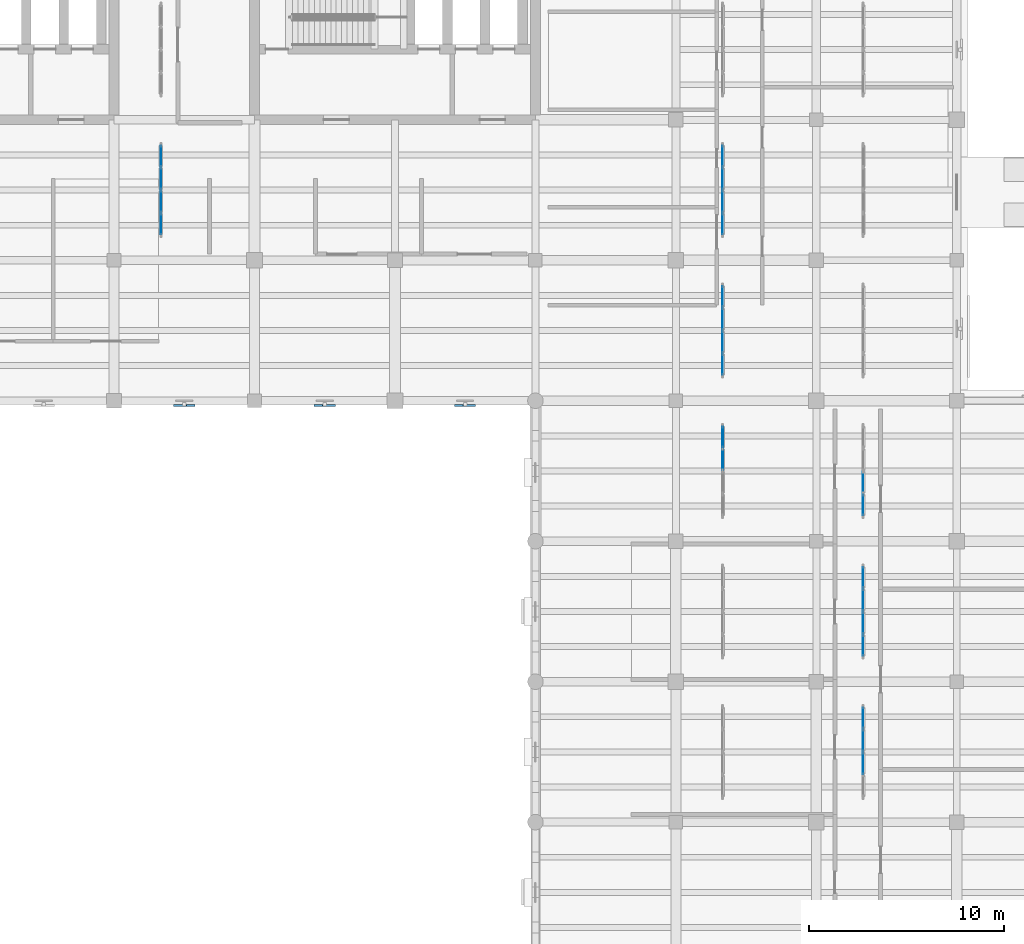
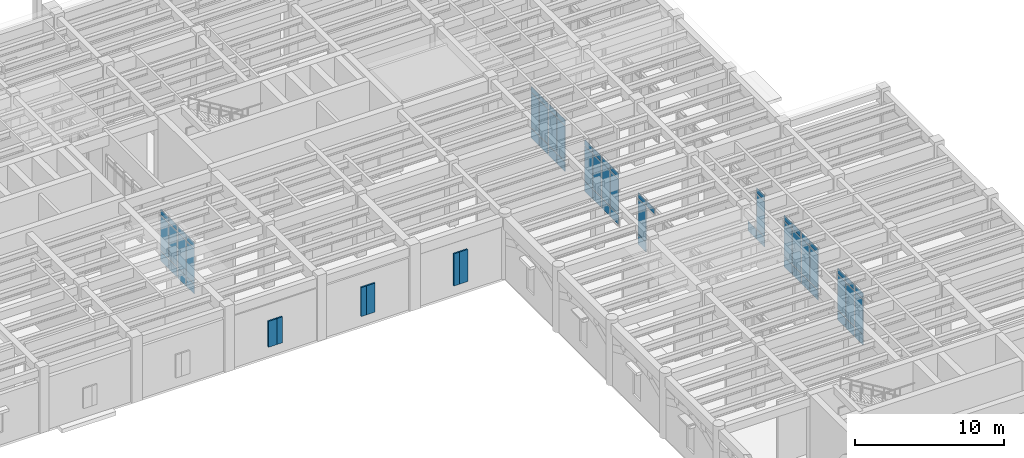
# One storey, part 64 of 100: 71 plates, 7 elements without a shape of their own.
"""IFC4 building model written with IfcOpenShell, lengths in metres."""

from ifc_helpers import new_model, si_unit, direction, frame, origin, origin_2d, place, context, subcontext, project, spatial, rectangle, extrude, material, layer, layer_set, type_object, element, aggregate, save


model = new_model("IFC4")

# Units and contexts
model_context = context("Model", 3, precision=1e-05, world=origin(), true_north=direction((0.0, 1.0)))
body_context = subcontext(model_context, "Body", "Model", "MODEL_VIEW")
ifc_project = project(units=[si_unit("LENGTHUNIT", "METRE"), si_unit("AREAUNIT", "SQUARE_METRE"), si_unit("VOLUMEUNIT", "CUBIC_METRE"), si_unit("PLANEANGLEUNIT", "RADIAN"), si_unit("MASSUNIT", "GRAM", prefix="KILO")], contexts=[model_context])

# Site, building, storey
site_placement = place(None, origin())
site = spatial("IfcSite", under=ifc_project, at=site_placement, CompositionType="ELEMENT")
building_placement = place(site_placement, origin())
building = spatial("IfcBuilding", under=site, at=building_placement, Name="Mithqara Police Headquarters", CompositionType="ELEMENT")
storey_placement = place(building_placement, origin())
storey = spatial("IfcBuildingStorey", under=building, at=storey_placement, Name="L00", CompositionType="ELEMENT", Elevation=0.0)

# Curtain wall, plates
ifc_material_1 = material(Name="Bronze anodised aluminium 6063-T6", Category="aluminium")
curtain_wall_type = type_object("IfcCurtainWallType", Name="CURTAIN WALL 4700X4400", PredefinedType="USERDEFINED", material=ifc_material_1)
curtain_wall_1_placement = place(storey_placement, origin())
curtain_wall_1 = element("IfcCurtainWall", 1, at=curtain_wall_1_placement, inside=storey, type_object=curtain_wall_type, Name="L00 Unitised Glazing CW-14 (CW-INT-L00-X17-Y12-0)", ObjectType="UNITISED GLAZING", PredefinedType="USERDEFINED")
ifc_material_2 = material(Name="Spectrally selective double low-e glass", Category="glass")
ifc_layer_1 = layer(ifc_material_2, 0.028076171875, Name="Spectrally selective double low-e glass")
ifc_layer_set_1 = layer_set([ifc_layer_1], Name="Spectrally selective double low-e glass")
plate_type_1 = type_object("IfcPlateType", Name="CWPANEL GLASS28", PredefinedType="CURTAIN_PANEL", material=ifc_layer_set_1)
plate_1_placement = place(storey_placement, frame((125.39990234375, 87.65625, 0.074951171875), z_axis=(0.0, 0.0, 1.0), x_axis=(0.0, 1.0, 0.0)))
plate_1 = element("IfcPlate", 2, at=plate_1_placement, type_object=plate_type_1, Name="CW-14 panel 1.1", PredefinedType="CURTAIN_PANEL", context=body_context, shape_type="SweptSolid", body=[
    extrude(rectangle(XDim=1.0625, YDim=0.028076171875, at=origin_2d()), origin(), (0.0, 0.0, 1.0), 0.78759765625),
])
plate_2_placement = place(storey_placement, frame((125.39990234375, 87.65625, 0.9375), z_axis=(0.0, 0.0, 1.0), x_axis=(0.0, 1.0, 0.0)))
plate_2 = element("IfcPlate", 3, at=plate_2_placement, type_object=plate_type_1, Name="CW-14 panel 1.2", PredefinedType="CURTAIN_PANEL", context=body_context, shape_type="SweptSolid", body=[
    extrude(rectangle(XDim=1.0625, YDim=0.028076171875, at=origin_2d()), origin(), (0.0, 0.0, 1.0), 2.875),
])
plate_3_placement = place(storey_placement, frame((125.39990234375, 87.65625, 3.887451171875), z_axis=(0.0, 0.0, 1.0), x_axis=(0.0, 1.0, 0.0)))
plate_3 = element("IfcPlate", 4, at=plate_3_placement, type_object=plate_type_1, Name="CW-14 panel 1.3", PredefinedType="CURTAIN_PANEL", context=body_context, shape_type="SweptSolid", body=[
    extrude(rectangle(XDim=1.0625, YDim=0.028076171875, at=origin_2d()), origin(), (0.0, 0.0, 1.0), 0.4375),
])
plate_4_placement = place(storey_placement, frame((125.39990234375, 88.8125, 0.074951171875), z_axis=(0.0, 0.0, 1.0), x_axis=(0.0, 1.0, 0.0)))
plate_4 = element("IfcPlate", 5, at=plate_4_placement, type_object=plate_type_1, Name="CW-14 panel 2.1", PredefinedType="CURTAIN_PANEL", context=body_context, shape_type="SweptSolid", body=[
    extrude(rectangle(XDim=1.10009765625, YDim=0.028076171875, at=origin_2d()), origin(), (0.0, 0.0, 1.0), 0.78759765625),
])
plate_5_placement = place(storey_placement, frame((125.39990234375, 88.8125, 0.9375), z_axis=(0.0, 0.0, 1.0), x_axis=(0.0, 1.0, 0.0)))
plate_5 = element("IfcPlate", 6, at=plate_5_placement, type_object=plate_type_1, Name="CW-14 panel 2.2", PredefinedType="CURTAIN_PANEL", context=body_context, shape_type="SweptSolid", body=[
    extrude(rectangle(XDim=1.10009765625, YDim=0.028076171875, at=origin_2d()), origin(), (0.0, 0.0, 1.0), 2.875),
])
plate_6_placement = place(storey_placement, frame((125.39990234375, 88.8125, 3.887451171875), z_axis=(0.0, 0.0, 1.0), x_axis=(0.0, 1.0, 0.0)))
plate_6 = element("IfcPlate", 7, at=plate_6_placement, type_object=plate_type_1, Name="CW-14 panel 2.3", PredefinedType="CURTAIN_PANEL", context=body_context, shape_type="SweptSolid", body=[
    extrude(rectangle(XDim=1.10009765625, YDim=0.028076171875, at=origin_2d()), origin(), (0.0, 0.0, 1.0), 0.4375),
])
plate_7_placement = place(storey_placement, frame((125.39990234375, 89.987548828125, 0.074951171875), z_axis=(0.0, 0.0, 1.0), x_axis=(0.0, 1.0, 0.0)))
plate_7 = element("IfcPlate", 8, at=plate_7_placement, type_object=plate_type_1, Name="CW-14 panel 3.1", PredefinedType="CURTAIN_PANEL", context=body_context, shape_type="SweptSolid", body=[
    extrude(rectangle(XDim=1.10009765625, YDim=0.028076171875, at=origin_2d()), origin(), (0.0, 0.0, 1.0), 0.78759765625),
])
plate_8_placement = place(storey_placement, frame((125.39990234375, 89.987548828125, 0.9375), z_axis=(0.0, 0.0, 1.0), x_axis=(0.0, 1.0, 0.0)))
plate_8 = element("IfcPlate", 9, at=plate_8_placement, type_object=plate_type_1, Name="CW-14 panel 3.2", PredefinedType="CURTAIN_PANEL", context=body_context, shape_type="SweptSolid", body=[
    extrude(rectangle(XDim=1.10009765625, YDim=0.028076171875, at=origin_2d()), origin(), (0.0, 0.0, 1.0), 2.875),
])
plate_9_placement = place(storey_placement, frame((125.39990234375, 89.987548828125, 3.887451171875), z_axis=(0.0, 0.0, 1.0), x_axis=(0.0, 1.0, 0.0)))
plate_9 = element("IfcPlate", 10, at=plate_9_placement, type_object=plate_type_1, Name="CW-14 panel 3.3", PredefinedType="CURTAIN_PANEL", context=body_context, shape_type="SweptSolid", body=[
    extrude(rectangle(XDim=1.10009765625, YDim=0.028076171875, at=origin_2d()), origin(), (0.0, 0.0, 1.0), 0.4375),
])
plate_10_placement = place(storey_placement, frame((125.39990234375, 91.143798828125, 0.074951171875), z_axis=(0.0, 0.0, 1.0), x_axis=(0.0, 1.0, 0.0)))
plate_10 = element("IfcPlate", 11, at=plate_10_placement, type_object=plate_type_1, Name="CW-14 panel 4.1", PredefinedType="CURTAIN_PANEL", context=body_context, shape_type="SweptSolid", body=[
    extrude(rectangle(XDim=1.0625, YDim=0.028076171875, at=origin_2d()), origin(), (0.0, 0.0, 1.0), 0.78759765625),
])
plate_11_placement = place(storey_placement, frame((125.39990234375, 91.143798828125, 0.9375), z_axis=(0.0, 0.0, 1.0), x_axis=(0.0, 1.0, 0.0)))
plate_11 = element("IfcPlate", 12, at=plate_11_placement, type_object=plate_type_1, Name="CW-14 panel 4.2", PredefinedType="CURTAIN_PANEL", context=body_context, shape_type="SweptSolid", body=[
    extrude(rectangle(XDim=1.0625, YDim=0.028076171875, at=origin_2d()), origin(), (0.0, 0.0, 1.0), 2.875),
])
plate_12_placement = place(storey_placement, frame((125.39990234375, 91.143798828125, 3.887451171875), z_axis=(0.0, 0.0, 1.0), x_axis=(0.0, 1.0, 0.0)))
plate_12 = element("IfcPlate", 13, at=plate_12_placement, type_object=plate_type_1, Name="CW-14 panel 4.3", PredefinedType="CURTAIN_PANEL", context=body_context, shape_type="SweptSolid", body=[
    extrude(rectangle(XDim=1.0625, YDim=0.028076171875, at=origin_2d()), origin(), (0.0, 0.0, 1.0), 0.4375),
])
aggregate(curtain_wall_1, [plate_1, plate_2, plate_3, plate_4, plate_5, plate_6, plate_7, plate_8, plate_9, plate_10, plate_11, plate_12])

curtain_wall_2_placement = place(storey_placement, origin())
curtain_wall_2 = element("IfcCurtainWall", 14, at=curtain_wall_2_placement, inside=storey, type_object=curtain_wall_type, Name="L00 Unitised Glazing CW-14 (CW-INT-L00-X21-Y11-0)", ObjectType="UNITISED GLAZING", PredefinedType="USERDEFINED")
plate_13_placement = place(storey_placement, frame((154.199951171875, 80.456298828125, 0.074951171875), z_axis=(0.0, 0.0, 1.0), x_axis=(0.0, 1.0, 0.0)))
plate_13 = element("IfcPlate", 15, at=plate_13_placement, type_object=plate_type_1, Name="CW-14 panel 1.1", PredefinedType="CURTAIN_PANEL", context=body_context, shape_type="SweptSolid", body=[
    extrude(rectangle(XDim=1.0625, YDim=0.028076171875, at=origin_2d()), origin(), (0.0, 0.0, 1.0), 0.78759765625),
])
plate_14_placement = place(storey_placement, frame((154.199951171875, 80.456298828125, 0.9375), z_axis=(0.0, 0.0, 1.0), x_axis=(0.0, 1.0, 0.0)))
plate_14 = element("IfcPlate", 16, at=plate_14_placement, type_object=plate_type_1, Name="CW-14 panel 1.2", PredefinedType="CURTAIN_PANEL", context=body_context, shape_type="SweptSolid", body=[
    extrude(rectangle(XDim=1.0625, YDim=0.028076171875, at=origin_2d()), origin(), (0.0, 0.0, 1.0), 2.875),
])
plate_15_placement = place(storey_placement, frame((154.199951171875, 80.456298828125, 3.887451171875), z_axis=(0.0, 0.0, 1.0), x_axis=(0.0, 1.0, 0.0)))
plate_15 = element("IfcPlate", 17, at=plate_15_placement, type_object=plate_type_1, Name="CW-14 panel 1.3", PredefinedType="CURTAIN_PANEL", context=body_context, shape_type="SweptSolid", body=[
    extrude(rectangle(XDim=1.0625, YDim=0.028076171875, at=origin_2d()), origin(), (0.0, 0.0, 1.0), 0.4375),
])
plate_16_placement = place(storey_placement, frame((154.199951171875, 81.612548828125, 0.074951171875), z_axis=(0.0, 0.0, 1.0), x_axis=(0.0, 1.0, 0.0)))
plate_16 = element("IfcPlate", 18, at=plate_16_placement, type_object=plate_type_1, Name="CW-14 panel 2.1", PredefinedType="CURTAIN_PANEL", context=body_context, shape_type="SweptSolid", body=[
    extrude(rectangle(XDim=1.10009765625, YDim=0.028076171875, at=origin_2d()), origin(), (0.0, 0.0, 1.0), 0.78759765625),
])
plate_17_placement = place(storey_placement, frame((154.199951171875, 81.612548828125, 0.9375), z_axis=(0.0, 0.0, 1.0), x_axis=(0.0, 1.0, 0.0)))
plate_17 = element("IfcPlate", 19, at=plate_17_placement, type_object=plate_type_1, Name="CW-14 panel 2.2", PredefinedType="CURTAIN_PANEL", context=body_context, shape_type="SweptSolid", body=[
    extrude(rectangle(XDim=1.10009765625, YDim=0.028076171875, at=origin_2d()), origin(), (0.0, 0.0, 1.0), 2.875),
])
plate_18_placement = place(storey_placement, frame((154.199951171875, 81.612548828125, 3.887451171875), z_axis=(0.0, 0.0, 1.0), x_axis=(0.0, 1.0, 0.0)))
plate_18 = element("IfcPlate", 20, at=plate_18_placement, type_object=plate_type_1, Name="CW-14 panel 2.3", PredefinedType="CURTAIN_PANEL", context=body_context, shape_type="SweptSolid", body=[
    extrude(rectangle(XDim=1.10009765625, YDim=0.028076171875, at=origin_2d()), origin(), (0.0, 0.0, 1.0), 0.4375),
])
plate_19_placement = place(storey_placement, frame((154.199951171875, 82.78759765625, 0.074951171875), z_axis=(0.0, 0.0, 1.0), x_axis=(0.0, 1.0, 0.0)))
plate_19 = element("IfcPlate", 21, at=plate_19_placement, type_object=plate_type_1, Name="CW-14 panel 3.1", PredefinedType="CURTAIN_PANEL", context=body_context, shape_type="SweptSolid", body=[
    extrude(rectangle(XDim=1.10009765625, YDim=0.028076171875, at=origin_2d()), origin(), (0.0, 0.0, 1.0), 0.78759765625),
])
plate_20_placement = place(storey_placement, frame((154.199951171875, 82.78759765625, 0.9375), z_axis=(0.0, 0.0, 1.0), x_axis=(0.0, 1.0, 0.0)))
plate_20 = element("IfcPlate", 22, at=plate_20_placement, type_object=plate_type_1, Name="CW-14 panel 3.2", PredefinedType="CURTAIN_PANEL", context=body_context, shape_type="SweptSolid", body=[
    extrude(rectangle(XDim=1.10009765625, YDim=0.028076171875, at=origin_2d()), origin(), (0.0, 0.0, 1.0), 2.875),
])
plate_21_placement = place(storey_placement, frame((154.199951171875, 82.78759765625, 3.887451171875), z_axis=(0.0, 0.0, 1.0), x_axis=(0.0, 1.0, 0.0)))
plate_21 = element("IfcPlate", 23, at=plate_21_placement, type_object=plate_type_1, Name="CW-14 panel 3.3", PredefinedType="CURTAIN_PANEL", context=body_context, shape_type="SweptSolid", body=[
    extrude(rectangle(XDim=1.10009765625, YDim=0.028076171875, at=origin_2d()), origin(), (0.0, 0.0, 1.0), 0.4375),
])
plate_22_placement = place(storey_placement, frame((154.199951171875, 83.94384765625, 0.074951171875), z_axis=(0.0, 0.0, 1.0), x_axis=(0.0, 1.0, 0.0)))
plate_22 = element("IfcPlate", 24, at=plate_22_placement, type_object=plate_type_1, Name="CW-14 panel 4.1", PredefinedType="CURTAIN_PANEL", context=body_context, shape_type="SweptSolid", body=[
    extrude(rectangle(XDim=1.0625, YDim=0.028076171875, at=origin_2d()), origin(), (0.0, 0.0, 1.0), 0.78759765625),
])
plate_23_placement = place(storey_placement, frame((154.199951171875, 83.94384765625, 0.9375), z_axis=(0.0, 0.0, 1.0), x_axis=(0.0, 1.0, 0.0)))
plate_23 = element("IfcPlate", 25, at=plate_23_placement, type_object=plate_type_1, Name="CW-14 panel 4.2", PredefinedType="CURTAIN_PANEL", context=body_context, shape_type="SweptSolid", body=[
    extrude(rectangle(XDim=1.0625, YDim=0.028076171875, at=origin_2d()), origin(), (0.0, 0.0, 1.0), 2.875),
])
plate_24_placement = place(storey_placement, frame((154.199951171875, 83.94384765625, 3.887451171875), z_axis=(0.0, 0.0, 1.0), x_axis=(0.0, 1.0, 0.0)))
plate_24 = element("IfcPlate", 26, at=plate_24_placement, type_object=plate_type_1, Name="CW-14 panel 4.3", PredefinedType="CURTAIN_PANEL", context=body_context, shape_type="SweptSolid", body=[
    extrude(rectangle(XDim=1.0625, YDim=0.028076171875, at=origin_2d()), origin(), (0.0, 0.0, 1.0), 0.4375),
])
aggregate(curtain_wall_2, [plate_13, plate_14, plate_15, plate_16, plate_17, plate_18, plate_19, plate_20, plate_21, plate_22, plate_23, plate_24])

curtain_wall_3_placement = place(storey_placement, origin())
curtain_wall_3 = element("IfcCurtainWall", 27, at=curtain_wall_3_placement, inside=storey, type_object=curtain_wall_type, Name="L00 Unitised Glazing CW-14 (CW-INT-L00-X21-Y12-0)", ObjectType="UNITISED GLAZING", PredefinedType="USERDEFINED")
plate_25_placement = place(storey_placement, frame((154.199951171875, 87.65625, 0.074951171875), z_axis=(0.0, 0.0, 1.0), x_axis=(0.0, 1.0, 0.0)))
plate_25 = element("IfcPlate", 28, at=plate_25_placement, type_object=plate_type_1, Name="CW-14 panel 1.1", PredefinedType="CURTAIN_PANEL", context=body_context, shape_type="SweptSolid", body=[
    extrude(rectangle(XDim=1.0625, YDim=0.028076171875, at=origin_2d()), origin(), (0.0, 0.0, 1.0), 0.78759765625),
])
plate_26_placement = place(storey_placement, frame((154.199951171875, 87.65625, 0.9375), z_axis=(0.0, 0.0, 1.0), x_axis=(0.0, 1.0, 0.0)))
plate_26 = element("IfcPlate", 29, at=plate_26_placement, type_object=plate_type_1, Name="CW-14 panel 1.2", PredefinedType="CURTAIN_PANEL", context=body_context, shape_type="SweptSolid", body=[
    extrude(rectangle(XDim=1.0625, YDim=0.028076171875, at=origin_2d()), origin(), (0.0, 0.0, 1.0), 2.875),
])
plate_27_placement = place(storey_placement, frame((154.199951171875, 87.65625, 3.887451171875), z_axis=(0.0, 0.0, 1.0), x_axis=(0.0, 1.0, 0.0)))
plate_27 = element("IfcPlate", 30, at=plate_27_placement, type_object=plate_type_1, Name="CW-14 panel 1.3", PredefinedType="CURTAIN_PANEL", context=body_context, shape_type="SweptSolid", body=[
    extrude(rectangle(XDim=1.0625, YDim=0.028076171875, at=origin_2d()), origin(), (0.0, 0.0, 1.0), 0.4375),
])
plate_28_placement = place(storey_placement, frame((154.199951171875, 88.8125, 0.074951171875), z_axis=(0.0, 0.0, 1.0), x_axis=(0.0, 1.0, 0.0)))
plate_28 = element("IfcPlate", 31, at=plate_28_placement, type_object=plate_type_1, Name="CW-14 panel 2.1", PredefinedType="CURTAIN_PANEL", context=body_context, shape_type="SweptSolid", body=[
    extrude(rectangle(XDim=1.10009765625, YDim=0.028076171875, at=origin_2d()), origin(), (0.0, 0.0, 1.0), 0.78759765625),
])
plate_29_placement = place(storey_placement, frame((154.199951171875, 88.8125, 0.9375), z_axis=(0.0, 0.0, 1.0), x_axis=(0.0, 1.0, 0.0)))
plate_29 = element("IfcPlate", 32, at=plate_29_placement, type_object=plate_type_1, Name="CW-14 panel 2.2", PredefinedType="CURTAIN_PANEL", context=body_context, shape_type="SweptSolid", body=[
    extrude(rectangle(XDim=1.10009765625, YDim=0.028076171875, at=origin_2d()), origin(), (0.0, 0.0, 1.0), 2.875),
])
plate_30_placement = place(storey_placement, frame((154.199951171875, 88.8125, 3.887451171875), z_axis=(0.0, 0.0, 1.0), x_axis=(0.0, 1.0, 0.0)))
plate_30 = element("IfcPlate", 33, at=plate_30_placement, type_object=plate_type_1, Name="CW-14 panel 2.3", PredefinedType="CURTAIN_PANEL", context=body_context, shape_type="SweptSolid", body=[
    extrude(rectangle(XDim=1.10009765625, YDim=0.028076171875, at=origin_2d()), origin(), (0.0, 0.0, 1.0), 0.4375),
])
plate_31_placement = place(storey_placement, frame((154.199951171875, 89.987548828125, 0.074951171875), z_axis=(0.0, 0.0, 1.0), x_axis=(0.0, 1.0, 0.0)))
plate_31 = element("IfcPlate", 34, at=plate_31_placement, type_object=plate_type_1, Name="CW-14 panel 3.1", PredefinedType="CURTAIN_PANEL", context=body_context, shape_type="SweptSolid", body=[
    extrude(rectangle(XDim=1.10009765625, YDim=0.028076171875, at=origin_2d()), origin(), (0.0, 0.0, 1.0), 0.78759765625),
])
plate_32_placement = place(storey_placement, frame((154.199951171875, 89.987548828125, 0.9375), z_axis=(0.0, 0.0, 1.0), x_axis=(0.0, 1.0, 0.0)))
plate_32 = element("IfcPlate", 35, at=plate_32_placement, type_object=plate_type_1, Name="CW-14 panel 3.2", PredefinedType="CURTAIN_PANEL", context=body_context, shape_type="SweptSolid", body=[
    extrude(rectangle(XDim=1.10009765625, YDim=0.028076171875, at=origin_2d()), origin(), (0.0, 0.0, 1.0), 2.875),
])
plate_33_placement = place(storey_placement, frame((154.199951171875, 89.987548828125, 3.887451171875), z_axis=(0.0, 0.0, 1.0), x_axis=(0.0, 1.0, 0.0)))
plate_33 = element("IfcPlate", 36, at=plate_33_placement, type_object=plate_type_1, Name="CW-14 panel 3.3", PredefinedType="CURTAIN_PANEL", context=body_context, shape_type="SweptSolid", body=[
    extrude(rectangle(XDim=1.10009765625, YDim=0.028076171875, at=origin_2d()), origin(), (0.0, 0.0, 1.0), 0.4375),
])
plate_34_placement = place(storey_placement, frame((154.199951171875, 91.143798828125, 0.074951171875), z_axis=(0.0, 0.0, 1.0), x_axis=(0.0, 1.0, 0.0)))
plate_34 = element("IfcPlate", 37, at=plate_34_placement, type_object=plate_type_1, Name="CW-14 panel 4.1", PredefinedType="CURTAIN_PANEL", context=body_context, shape_type="SweptSolid", body=[
    extrude(rectangle(XDim=1.0625, YDim=0.028076171875, at=origin_2d()), origin(), (0.0, 0.0, 1.0), 0.78759765625),
])
plate_35_placement = place(storey_placement, frame((154.199951171875, 91.143798828125, 0.9375), z_axis=(0.0, 0.0, 1.0), x_axis=(0.0, 1.0, 0.0)))
plate_35 = element("IfcPlate", 38, at=plate_35_placement, type_object=plate_type_1, Name="CW-14 panel 4.2", PredefinedType="CURTAIN_PANEL", context=body_context, shape_type="SweptSolid", body=[
    extrude(rectangle(XDim=1.0625, YDim=0.028076171875, at=origin_2d()), origin(), (0.0, 0.0, 1.0), 2.875),
])
plate_36_placement = place(storey_placement, frame((154.199951171875, 91.143798828125, 3.887451171875), z_axis=(0.0, 0.0, 1.0), x_axis=(0.0, 1.0, 0.0)))
plate_36 = element("IfcPlate", 39, at=plate_36_placement, type_object=plate_type_1, Name="CW-14 panel 4.3", PredefinedType="CURTAIN_PANEL", context=body_context, shape_type="SweptSolid", body=[
    extrude(rectangle(XDim=1.0625, YDim=0.028076171875, at=origin_2d()), origin(), (0.0, 0.0, 1.0), 0.4375),
])
aggregate(curtain_wall_3, [plate_25, plate_26, plate_27, plate_28, plate_29, plate_30, plate_31, plate_32, plate_33, plate_34, plate_35, plate_36])

curtain_wall_4_placement = place(storey_placement, origin())
curtain_wall_4 = element("IfcCurtainWall", 40, at=curtain_wall_4_placement, inside=storey, type_object=curtain_wall_type, Name="L00 Unitised Glazing CW-14 (CW-INT-L00-X22-Y08-0)", ObjectType="UNITISED GLAZING", PredefinedType="USERDEFINED")
plate_37_placement = place(storey_placement, frame((161.39990234375, 60.012451171875, 0.074951171875), z_axis=(0.0, 0.0, 1.0), x_axis=(0.0, 1.0, 0.0)))
plate_37 = element("IfcPlate", 41, at=plate_37_placement, type_object=plate_type_1, Name="CW-14 panel 2.1", PredefinedType="CURTAIN_PANEL", context=body_context, shape_type="SweptSolid", body=[
    extrude(rectangle(XDim=1.10009765625, YDim=0.028076171875, at=origin_2d()), origin(), (0.0, 0.0, 1.0), 0.78759765625),
])
plate_38_placement = place(storey_placement, frame((161.39990234375, 60.012451171875, 0.9375), z_axis=(0.0, 0.0, 1.0), x_axis=(0.0, 1.0, 0.0)))
plate_38 = element("IfcPlate", 42, at=plate_38_placement, type_object=plate_type_1, Name="CW-14 panel 2.2", PredefinedType="CURTAIN_PANEL", context=body_context, shape_type="SweptSolid", body=[
    extrude(rectangle(XDim=1.10009765625, YDim=0.028076171875, at=origin_2d()), origin(), (0.0, 0.0, 1.0), 2.875),
])
plate_39_placement = place(storey_placement, frame((161.39990234375, 60.012451171875, 3.887451171875), z_axis=(0.0, 0.0, 1.0), x_axis=(0.0, 1.0, 0.0)))
plate_39 = element("IfcPlate", 43, at=plate_39_placement, type_object=plate_type_1, Name="CW-14 panel 2.3", PredefinedType="CURTAIN_PANEL", context=body_context, shape_type="SweptSolid", body=[
    extrude(rectangle(XDim=1.10009765625, YDim=0.028076171875, at=origin_2d()), origin(), (0.0, 0.0, 1.0), 0.4375),
])
plate_40_placement = place(storey_placement, frame((161.39990234375, 61.1875, 0.074951171875), z_axis=(0.0, 0.0, 1.0), x_axis=(0.0, 1.0, 0.0)))
plate_40 = element("IfcPlate", 44, at=plate_40_placement, type_object=plate_type_1, Name="CW-14 panel 3.1", PredefinedType="CURTAIN_PANEL", context=body_context, shape_type="SweptSolid", body=[
    extrude(rectangle(XDim=1.10009765625, YDim=0.028076171875, at=origin_2d()), origin(), (0.0, 0.0, 1.0), 0.78759765625),
])
plate_41_placement = place(storey_placement, frame((161.39990234375, 61.1875, 0.9375), z_axis=(0.0, 0.0, 1.0), x_axis=(0.0, 1.0, 0.0)))
plate_41 = element("IfcPlate", 45, at=plate_41_placement, type_object=plate_type_1, Name="CW-14 panel 3.2", PredefinedType="CURTAIN_PANEL", context=body_context, shape_type="SweptSolid", body=[
    extrude(rectangle(XDim=1.10009765625, YDim=0.028076171875, at=origin_2d()), origin(), (0.0, 0.0, 1.0), 2.875),
])
plate_42_placement = place(storey_placement, frame((161.39990234375, 61.1875, 3.887451171875), z_axis=(0.0, 0.0, 1.0), x_axis=(0.0, 1.0, 0.0)))
plate_42 = element("IfcPlate", 46, at=plate_42_placement, type_object=plate_type_1, Name="CW-14 panel 3.3", PredefinedType="CURTAIN_PANEL", context=body_context, shape_type="SweptSolid", body=[
    extrude(rectangle(XDim=1.10009765625, YDim=0.028076171875, at=origin_2d()), origin(), (0.0, 0.0, 1.0), 0.4375),
])
plate_43_placement = place(storey_placement, frame((161.39990234375, 62.34375, 0.074951171875), z_axis=(0.0, 0.0, 1.0), x_axis=(0.0, 1.0, 0.0)))
plate_43 = element("IfcPlate", 47, at=plate_43_placement, type_object=plate_type_1, Name="CW-14 panel 4.1", PredefinedType="CURTAIN_PANEL", context=body_context, shape_type="SweptSolid", body=[
    extrude(rectangle(XDim=1.0625, YDim=0.028076171875, at=origin_2d()), origin(), (0.0, 0.0, 1.0), 0.78759765625),
])
plate_44_placement = place(storey_placement, frame((161.39990234375, 62.34375, 0.9375), z_axis=(0.0, 0.0, 1.0), x_axis=(0.0, 1.0, 0.0)))
plate_44 = element("IfcPlate", 48, at=plate_44_placement, type_object=plate_type_1, Name="CW-14 panel 4.2", PredefinedType="CURTAIN_PANEL", context=body_context, shape_type="SweptSolid", body=[
    extrude(rectangle(XDim=1.0625, YDim=0.028076171875, at=origin_2d()), origin(), (0.0, 0.0, 1.0), 2.875),
])
plate_45_placement = place(storey_placement, frame((161.39990234375, 62.34375, 3.887451171875), z_axis=(0.0, 0.0, 1.0), x_axis=(0.0, 1.0, 0.0)))
plate_45 = element("IfcPlate", 49, at=plate_45_placement, type_object=plate_type_1, Name="CW-14 panel 4.3", PredefinedType="CURTAIN_PANEL", context=body_context, shape_type="SweptSolid", body=[
    extrude(rectangle(XDim=1.0625, YDim=0.028076171875, at=origin_2d()), origin(), (0.0, 0.0, 1.0), 0.4375),
])
aggregate(curtain_wall_4, [plate_37, plate_38, plate_39, plate_40, plate_41, plate_42, plate_43, plate_44, plate_45])

curtain_wall_5_placement = place(storey_placement, origin())
curtain_wall_5 = element("IfcCurtainWall", 50, at=curtain_wall_5_placement, inside=storey, type_object=curtain_wall_type, Name="L00 Unitised Glazing CW-14 (CW-INT-L00-X22-Y09-0)", ObjectType="UNITISED GLAZING", PredefinedType="USERDEFINED")
plate_46_placement = place(storey_placement, frame((161.39990234375, 66.05615234375, 0.074951171875), z_axis=(0.0, 0.0, 1.0), x_axis=(0.0, 1.0, 0.0)))
plate_46 = element("IfcPlate", 51, at=plate_46_placement, type_object=plate_type_1, Name="CW-14 panel 1.1", PredefinedType="CURTAIN_PANEL", context=body_context, shape_type="SweptSolid", body=[
    extrude(rectangle(XDim=1.0625, YDim=0.028076171875, at=origin_2d()), origin(), (0.0, 0.0, 1.0), 0.78759765625),
])
plate_47_placement = place(storey_placement, frame((161.39990234375, 66.05615234375, 0.9375), z_axis=(0.0, 0.0, 1.0), x_axis=(0.0, 1.0, 0.0)))
plate_47 = element("IfcPlate", 52, at=plate_47_placement, type_object=plate_type_1, Name="CW-14 panel 1.2", PredefinedType="CURTAIN_PANEL", context=body_context, shape_type="SweptSolid", body=[
    extrude(rectangle(XDim=1.0625, YDim=0.028076171875, at=origin_2d()), origin(), (0.0, 0.0, 1.0), 2.875),
])
plate_48_placement = place(storey_placement, frame((161.39990234375, 66.05615234375, 3.887451171875), z_axis=(0.0, 0.0, 1.0), x_axis=(0.0, 1.0, 0.0)))
plate_48 = element("IfcPlate", 53, at=plate_48_placement, type_object=plate_type_1, Name="CW-14 panel 1.3", PredefinedType="CURTAIN_PANEL", context=body_context, shape_type="SweptSolid", body=[
    extrude(rectangle(XDim=1.0625, YDim=0.028076171875, at=origin_2d()), origin(), (0.0, 0.0, 1.0), 0.4375),
])
plate_49_placement = place(storey_placement, frame((161.39990234375, 67.21240234375, 0.074951171875), z_axis=(0.0, 0.0, 1.0), x_axis=(0.0, 1.0, 0.0)))
plate_49 = element("IfcPlate", 54, at=plate_49_placement, type_object=plate_type_1, Name="CW-14 panel 2.1", PredefinedType="CURTAIN_PANEL", context=body_context, shape_type="SweptSolid", body=[
    extrude(rectangle(XDim=1.10009765625, YDim=0.028076171875, at=origin_2d()), origin(), (0.0, 0.0, 1.0), 0.78759765625),
])
plate_50_placement = place(storey_placement, frame((161.39990234375, 67.21240234375, 0.9375), z_axis=(0.0, 0.0, 1.0), x_axis=(0.0, 1.0, 0.0)))
plate_50 = element("IfcPlate", 55, at=plate_50_placement, type_object=plate_type_1, Name="CW-14 panel 2.2", PredefinedType="CURTAIN_PANEL", context=body_context, shape_type="SweptSolid", body=[
    extrude(rectangle(XDim=1.10009765625, YDim=0.028076171875, at=origin_2d()), origin(), (0.0, 0.0, 1.0), 2.875),
])
plate_51_placement = place(storey_placement, frame((161.39990234375, 67.21240234375, 3.887451171875), z_axis=(0.0, 0.0, 1.0), x_axis=(0.0, 1.0, 0.0)))
plate_51 = element("IfcPlate", 56, at=plate_51_placement, type_object=plate_type_1, Name="CW-14 panel 2.3", PredefinedType="CURTAIN_PANEL", context=body_context, shape_type="SweptSolid", body=[
    extrude(rectangle(XDim=1.10009765625, YDim=0.028076171875, at=origin_2d()), origin(), (0.0, 0.0, 1.0), 0.4375),
])
plate_52_placement = place(storey_placement, frame((161.39990234375, 68.387451171875, 0.074951171875), z_axis=(0.0, 0.0, 1.0), x_axis=(0.0, 1.0, 0.0)))
plate_52 = element("IfcPlate", 57, at=plate_52_placement, type_object=plate_type_1, Name="CW-14 panel 3.1", PredefinedType="CURTAIN_PANEL", context=body_context, shape_type="SweptSolid", body=[
    extrude(rectangle(XDim=1.10009765625, YDim=0.028076171875, at=origin_2d()), origin(), (0.0, 0.0, 1.0), 0.78759765625),
])
plate_53_placement = place(storey_placement, frame((161.39990234375, 68.387451171875, 0.9375), z_axis=(0.0, 0.0, 1.0), x_axis=(0.0, 1.0, 0.0)))
plate_53 = element("IfcPlate", 58, at=plate_53_placement, type_object=plate_type_1, Name="CW-14 panel 3.2", PredefinedType="CURTAIN_PANEL", context=body_context, shape_type="SweptSolid", body=[
    extrude(rectangle(XDim=1.10009765625, YDim=0.028076171875, at=origin_2d()), origin(), (0.0, 0.0, 1.0), 2.875),
])
plate_54_placement = place(storey_placement, frame((161.39990234375, 68.387451171875, 3.887451171875), z_axis=(0.0, 0.0, 1.0), x_axis=(0.0, 1.0, 0.0)))
plate_54 = element("IfcPlate", 59, at=plate_54_placement, type_object=plate_type_1, Name="CW-14 panel 3.3", PredefinedType="CURTAIN_PANEL", context=body_context, shape_type="SweptSolid", body=[
    extrude(rectangle(XDim=1.10009765625, YDim=0.028076171875, at=origin_2d()), origin(), (0.0, 0.0, 1.0), 0.4375),
])
plate_55_placement = place(storey_placement, frame((161.39990234375, 69.543701171875, 0.074951171875), z_axis=(0.0, 0.0, 1.0), x_axis=(0.0, 1.0, 0.0)))
plate_55 = element("IfcPlate", 60, at=plate_55_placement, type_object=plate_type_1, Name="CW-14 panel 4.1", PredefinedType="CURTAIN_PANEL", context=body_context, shape_type="SweptSolid", body=[
    extrude(rectangle(XDim=1.0625, YDim=0.028076171875, at=origin_2d()), origin(), (0.0, 0.0, 1.0), 0.78759765625),
])
plate_56_placement = place(storey_placement, frame((161.39990234375, 69.543701171875, 0.9375), z_axis=(0.0, 0.0, 1.0), x_axis=(0.0, 1.0, 0.0)))
plate_56 = element("IfcPlate", 61, at=plate_56_placement, type_object=plate_type_1, Name="CW-14 panel 4.2", PredefinedType="CURTAIN_PANEL", context=body_context, shape_type="SweptSolid", body=[
    extrude(rectangle(XDim=1.0625, YDim=0.028076171875, at=origin_2d()), origin(), (0.0, 0.0, 1.0), 2.875),
])
plate_57_placement = place(storey_placement, frame((161.39990234375, 69.543701171875, 3.887451171875), z_axis=(0.0, 0.0, 1.0), x_axis=(0.0, 1.0, 0.0)))
plate_57 = element("IfcPlate", 62, at=plate_57_placement, type_object=plate_type_1, Name="CW-14 panel 4.3", PredefinedType="CURTAIN_PANEL", context=body_context, shape_type="SweptSolid", body=[
    extrude(rectangle(XDim=1.0625, YDim=0.028076171875, at=origin_2d()), origin(), (0.0, 0.0, 1.0), 0.4375),
])
aggregate(curtain_wall_5, [plate_46, plate_47, plate_48, plate_49, plate_50, plate_51, plate_52, plate_53, plate_54, plate_55, plate_56, plate_57])

curtain_wall_6_placement = place(storey_placement, origin())
curtain_wall_6 = element("IfcCurtainWall", 63, at=curtain_wall_6_placement, inside=storey, type_object=curtain_wall_type, Name="L00 Unitised Glazing CW-14 (CW-INT-L00-X22-Y10-0)", ObjectType="UNITISED GLAZING", PredefinedType="USERDEFINED")
plate_58_placement = place(storey_placement, frame((161.39990234375, 73.25634765625, 0.074951171875), z_axis=(0.0, 0.0, 1.0), x_axis=(0.0, 1.0, 0.0)))
plate_58 = element("IfcPlate", 64, at=plate_58_placement, type_object=plate_type_1, Name="CW-14 panel 1.1", PredefinedType="CURTAIN_PANEL", context=body_context, shape_type="SweptSolid", body=[
    extrude(rectangle(XDim=1.0625, YDim=0.028076171875, at=origin_2d()), origin(), (0.0, 0.0, 1.0), 0.78759765625),
])
plate_59_placement = place(storey_placement, frame((161.39990234375, 73.25634765625, 0.9375), z_axis=(0.0, 0.0, 1.0), x_axis=(0.0, 1.0, 0.0)))
plate_59 = element("IfcPlate", 65, at=plate_59_placement, type_object=plate_type_1, Name="CW-14 panel 1.2", PredefinedType="CURTAIN_PANEL", context=body_context, shape_type="SweptSolid", body=[
    extrude(rectangle(XDim=1.0625, YDim=0.028076171875, at=origin_2d()), origin(), (0.0, 0.0, 1.0), 2.875),
])
plate_60_placement = place(storey_placement, frame((161.39990234375, 73.25634765625, 3.887451171875), z_axis=(0.0, 0.0, 1.0), x_axis=(0.0, 1.0, 0.0)))
plate_60 = element("IfcPlate", 66, at=plate_60_placement, type_object=plate_type_1, Name="CW-14 panel 1.3", PredefinedType="CURTAIN_PANEL", context=body_context, shape_type="SweptSolid", body=[
    extrude(rectangle(XDim=1.0625, YDim=0.028076171875, at=origin_2d()), origin(), (0.0, 0.0, 1.0), 0.4375),
])
plate_61_placement = place(storey_placement, frame((161.39990234375, 74.41259765625, 0.074951171875), z_axis=(0.0, 0.0, 1.0), x_axis=(0.0, 1.0, 0.0)))
plate_61 = element("IfcPlate", 67, at=plate_61_placement, type_object=plate_type_1, Name="CW-14 panel 2.1", PredefinedType="CURTAIN_PANEL", context=body_context, shape_type="SweptSolid", body=[
    extrude(rectangle(XDim=1.10009765625, YDim=0.028076171875, at=origin_2d()), origin(), (0.0, 0.0, 1.0), 0.78759765625),
])
aggregate(curtain_wall_6, [plate_58, plate_59, plate_60, plate_61])

curtain_wall_7_placement = place(storey_placement, origin())
curtain_wall_7 = element("IfcCurtainWall", 68, at=curtain_wall_7_placement, inside=storey, type_object=curtain_wall_type, Name="L00 Unitised Glazing CW-14 (CW-INT-L00-X21-Y10-0)", ObjectType="UNITISED GLAZING", PredefinedType="USERDEFINED")
ifc_material_3 = material(Name="Insulated bronze aluminium spandrel panel", Category="aluminium")
ifc_layer_2 = layer(ifc_material_3, 0.048095703125, Name="Insulated bronze aluminium spandrel panel")
ifc_layer_set_2 = layer_set([ifc_layer_2], Name="Insulated bronze aluminium spandrel panel")
plate_type_2 = type_object("IfcPlateType", Name="CWPANEL SPANDREL48", PredefinedType="CURTAIN_PANEL", material=ifc_layer_set_2)
plate_62_placement = place(storey_placement, frame((154.199951171875, 75.58740234375, 3.887451171875), z_axis=(0.0, 0.0, 1.0), x_axis=(0.0, 1.0, 0.0)))
plate_62 = element("IfcPlate", 69, at=plate_62_placement, type_object=plate_type_2, Name="CW-14 panel 3.3", PredefinedType="CURTAIN_PANEL", context=body_context, shape_type="SweptSolid", body=[
    extrude(rectangle(XDim=1.10009765625, YDim=0.048095703125, at=origin_2d()), origin(), (0.0, 0.0, 1.0), 0.4375),
])
plate_63_placement = place(storey_placement, frame((154.199951171875, 76.74365234375, 0.074951171875), z_axis=(0.0, 0.0, 1.0), x_axis=(0.0, 1.0, 0.0)))
plate_63 = element("IfcPlate", 70, at=plate_63_placement, type_object=plate_type_2, Name="CW-14 panel 4.1", PredefinedType="CURTAIN_PANEL", context=body_context, shape_type="SweptSolid", body=[
    extrude(rectangle(XDim=1.0625, YDim=0.048095703125, at=origin_2d()), origin(), (0.0, 0.0, 1.0), 0.78759765625),
])
plate_64_placement = place(storey_placement, frame((154.199951171875, 76.74365234375, 0.9375), z_axis=(0.0, 0.0, 1.0), x_axis=(0.0, 1.0, 0.0)))
plate_64 = element("IfcPlate", 71, at=plate_64_placement, type_object=plate_type_2, Name="CW-14 panel 4.2", PredefinedType="CURTAIN_PANEL", context=body_context, shape_type="SweptSolid", body=[
    extrude(rectangle(XDim=1.0625, YDim=0.048095703125, at=origin_2d()), origin(), (0.0, 0.0, 1.0), 2.875),
])
plate_65_placement = place(storey_placement, frame((154.199951171875, 76.74365234375, 3.887451171875), z_axis=(0.0, 0.0, 1.0), x_axis=(0.0, 1.0, 0.0)))
plate_65 = element("IfcPlate", 72, at=plate_65_placement, type_object=plate_type_2, Name="CW-14 panel 4.3", PredefinedType="CURTAIN_PANEL", context=body_context, shape_type="SweptSolid", body=[
    extrude(rectangle(XDim=1.0625, YDim=0.048095703125, at=origin_2d()), origin(), (0.0, 0.0, 1.0), 0.4375),
])
aggregate(curtain_wall_7, [plate_62, plate_63, plate_64, plate_65])

# Plates
ifc_material_4 = material(Name="Limestone ashlar masonry, 45 MPa", Category="masonry")
ifc_layer_3 = layer(ifc_material_4, 0.1201171875, Name="Limestone ashlar masonry, 45 MPa")
ifc_layer_set_3 = layer_set([ifc_layer_3], Name="Limestone ashlar masonry, 45 MPa")
plate_type_3 = type_object("IfcPlateType", Name="STONE SCREEN 120", PredefinedType="USERDEFINED", material=ifc_layer_set_3)
for number, where, z_axis, x_axis, name in (
    (73, (126.387451171875, 78.360107421875, 0.830078125), (0.0, 0.0, 1.0), (1.0, 0.0, 0.0), "L00 Pierced Limestone Vertical-Slit Panel 31"),
    (74, (126.8125, 78.360107421875, 0.830078125), (0.0, 0.0, 1.0), (1.0, 0.0, 0.0), "L00 Pierced Limestone Vertical-Slit Panel 32"),
):
    element("IfcPlate", number, at=place(storey_placement, frame(where, z_axis=z_axis, x_axis=x_axis)), inside=storey, type_object=plate_type_3, Name=name, ObjectType="STONE SCREEN", PredefinedType="USERDEFINED", context=body_context, shape_type="SweptSolid", body=[
        extrude(rectangle(XDim=0.656005859375, YDim=0.1201171875, at=origin_2d()), origin(), (0.0, 0.0, 1.0), 2.139892578125),
    ])
for number, where, z_axis, x_axis, name in (
    (75, (133.58740234375, 78.360107421875, 0.830078125), (0.0, 0.0, 1.0), (1.0, 0.0, 0.0), "L00 Pierced Limestone Vertical-Slit Panel 33"),
    (76, (134.012451171875, 78.360107421875, 0.830078125), (0.0, 0.0, 1.0), (1.0, 0.0, 0.0), "L00 Pierced Limestone Vertical-Slit Panel 34"),
):
    element("IfcPlate", number, at=place(storey_placement, frame(where, z_axis=z_axis, x_axis=x_axis)), inside=storey, type_object=plate_type_3, Name=name, ObjectType="STONE SCREEN", PredefinedType="USERDEFINED", context=body_context, shape_type="SweptSolid", body=[
        extrude(rectangle(XDim=0.656005859375, YDim=0.1201171875, at=origin_2d()), origin(), (0.0, 0.0, 1.0), 2.389892578125),
    ])
for number, where, z_axis, x_axis, name in (
    (77, (140.78759765625, 78.360107421875, 0.830078125), (0.0, 0.0, 1.0), (1.0, 0.0, 0.0), "L00 Pierced Limestone Vertical-Slit Panel 35"),
    (78, (141.21240234375, 78.360107421875, 0.830078125), (0.0, 0.0, 1.0), (1.0, 0.0, 0.0), "L00 Pierced Limestone Vertical-Slit Panel 36"),
):
    element("IfcPlate", number, at=place(storey_placement, frame(where, z_axis=z_axis, x_axis=x_axis)), inside=storey, type_object=plate_type_3, Name=name, ObjectType="STONE SCREEN", PredefinedType="USERDEFINED", context=body_context, shape_type="SweptSolid", body=[
        extrude(rectangle(XDim=0.656005859375, YDim=0.1201171875, at=origin_2d()), origin(), (0.0, 0.0, 1.0), 2.639892578125),
    ])

save(model, "model.ifc")
